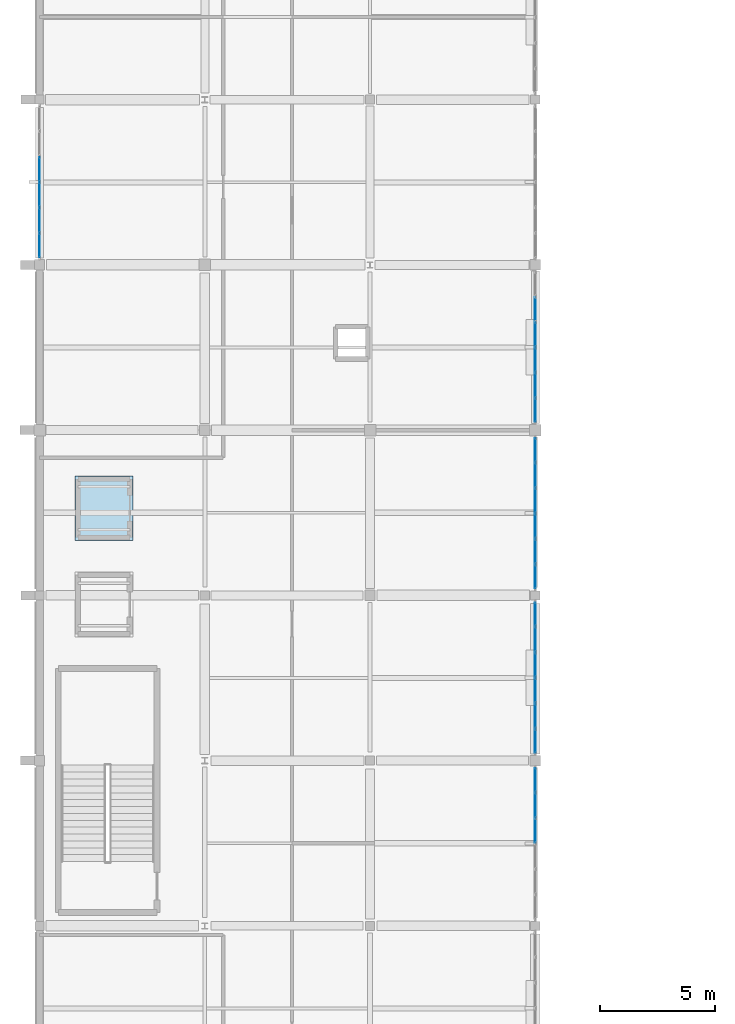
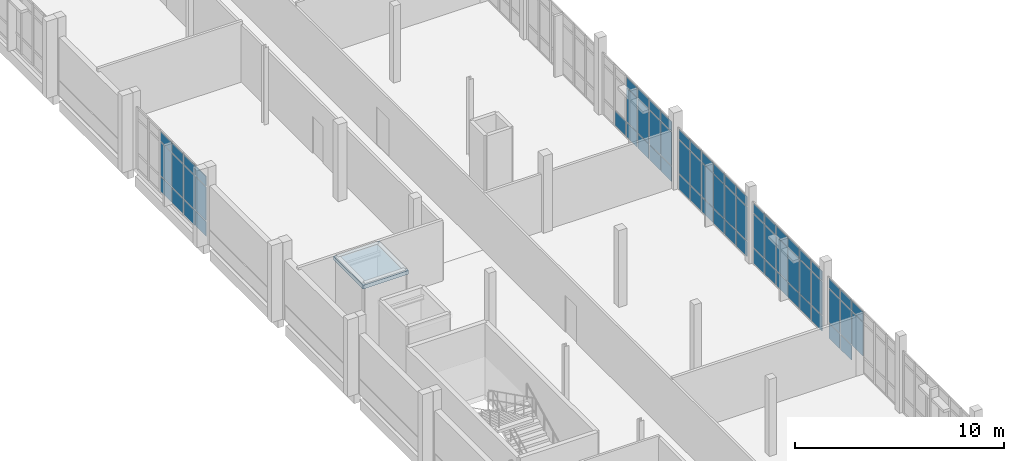
# One storey, part 46 of 62: 69 plates, 1 slab, 5 elements without a shape of their own.
"""IFC4 building model written with IfcOpenShell, lengths in metres."""

import ifcopenshell
import ifcopenshell.guid

model = None  # the IFC model being written
_history = None  # IfcOwnerHistory: only IFC2X3 demands one
_inside = {}  # id of a spatial element -> (the spatial element, [elements in it])
_under = {}  # id of a project, library or spatial element -> (it, [spatial elements below it])
_declared = {}  # id of a project -> (the project, [libraries it declares])
_typed = {}  # id of a type object -> (the type object, [elements of that type])
_made_of = {}  # id of a material, layer set ... -> (it, [elements and type objects made of it])


def new_model(schema):
    """Start an empty IFC model of exactly this schema.

    Asked for "IFC4X3", IfcOpenShell would pick the latest addendum, in which some entities
    have other attributes; the version numbers below select the first issue.
    IFC2X3 requires an IfcOwnerHistory on every rooted entity: one is made here for all.
    """
    global model, _history
    if schema == "IFC4X3":
        model = ifcopenshell.file(schema_version=(4, 3, 0, 0))
    else:
        model = ifcopenshell.file(schema=schema)
    _inside.clear()
    _under.clear()
    _declared.clear()
    _typed.clear()
    _made_of.clear()
    _history = None
    if model.schema == "IFC2X3":
        org = make("IfcOrganization", Name="unknown")
        user = make(
            "IfcPersonAndOrganization",
            ThePerson=make("IfcPerson", FamilyName="unknown"),
            TheOrganization=org,
        )
        app = make(
            "IfcApplication",
            ApplicationDeveloper=org,
            Version="unknown",
            ApplicationFullName="unknown",
            ApplicationIdentifier="unknown",
        )
        _history = make(
            "IfcOwnerHistory",
            OwningUser=user,
            OwningApplication=app,
            ChangeAction="ADDED",
            CreationDate=0,
        )
    return model


def make(cls, **values):
    """One entity of the class cls with the attributes given. An attribute that is None is left unset."""
    return model.create_entity(
        cls, **{name: value for name, value in values.items() if value is not None}
    )


def rooted(cls, **values):
    """An entity with a GlobalId (a new one), such as an element, a storey or a relation."""
    return make(cls, GlobalId=ifcopenshell.guid.new(), OwnerHistory=_history, **values)


def si_unit(unit_type, name, prefix=None):
    """IfcSIUnit, for example si_unit("LENGTHUNIT", "METRE", prefix="MILLI")."""
    return make("IfcSIUnit", UnitType=unit_type, Prefix=prefix, Name=name)


def assignment(units):
    """IfcUnitAssignment: the units of a project."""
    return None if units is None else make("IfcUnitAssignment", Units=units)


def point(xyz):
    """IfcCartesianPoint."""
    return None if xyz is None else make("IfcCartesianPoint", Coordinates=xyz)


def direction(xyz):
    """IfcDirection."""
    return None if xyz is None else make("IfcDirection", DirectionRatios=xyz)


def frame(location, z_axis=None, x_axis=None):
    """IfcAxis2Placement3D, a coordinate frame: its origin and axes. An axis left out is left unset."""
    return make(
        "IfcAxis2Placement3D",
        Location=point(location),
        Axis=direction(z_axis),
        RefDirection=direction(x_axis),
    )


def frame_2d(location, x_axis=None):
    """IfcAxis2Placement2D, a coordinate frame in the plane: its origin and x axis."""
    return make(
        "IfcAxis2Placement2D", Location=point(location), RefDirection=direction(x_axis)
    )


def origin():
    """The frame at (0, 0, 0) with its axes left unset."""
    return frame((0.0, 0.0, 0.0))


def origin_2d():
    """The frame at (0, 0) in the plane with its x axis left unset."""
    return frame_2d((0.0, 0.0))


def place(relative_to, where):
    """IfcLocalPlacement: puts the frame where relative to a parent placement (None: the world)."""
    return make(
        "IfcLocalPlacement", PlacementRelTo=relative_to, RelativePlacement=where
    )


def context(
    kind, dimensions, precision=None, world=None, true_north=None, identifier=None
):
    """IfcGeometricRepresentationContext, for example the 3D "Model" context."""
    return make(
        "IfcGeometricRepresentationContext",
        ContextIdentifier=identifier,
        ContextType=kind,
        CoordinateSpaceDimension=dimensions,
        Precision=precision,
        WorldCoordinateSystem=world,
        TrueNorth=true_north,
    )


def subcontext(parent, identifier, kind, view, scale=None):
    """IfcGeometricRepresentationSubContext, for example "Body" below "Model"."""
    return make(
        "IfcGeometricRepresentationSubContext",
        ContextIdentifier=identifier,
        ContextType=kind,
        ParentContext=parent,
        TargetScale=scale,
        TargetView=view,
    )


def project(units=None, contexts=None):
    """IfcProject with its units and contexts."""
    return rooted(
        "IfcProject",
        Name="project",
        RepresentationContexts=contexts,
        UnitsInContext=assignment(units),
    )


def spatial(cls, under=None, at=None, **own):
    """A site, building, storey or space (cls), placed at a placement, below another one or the project."""
    s = rooted(cls, ObjectPlacement=at, **own)
    if under is not None:
        _under.setdefault(under.id(), (under, []))[1].append(s)
    return s


def polyline(points):
    """IfcPolyline through the points."""
    return make("IfcPolyline", Points=[point(p) for p in points])


def profile(cls, at=None, kind="AREA", **sizes):
    """A parametric profile (cls). Its sizes go by their IFC names, for example OverallWidth=200.0."""
    return make(cls, ProfileType=kind, Position=at, **sizes)


def rectangle(**sizes):
    """IfcRectangleProfileDef."""
    return profile("IfcRectangleProfileDef", **sizes)


def outline(outer, holes=None, kind="AREA"):
    """IfcArbitraryClosedProfileDef: a profile drawn as a closed curve; with holes, ...WithVoids."""
    if holes is None:
        return make("IfcArbitraryClosedProfileDef", ProfileType=kind, OuterCurve=outer)
    return make(
        "IfcArbitraryProfileDefWithVoids",
        ProfileType=kind,
        OuterCurve=outer,
        InnerCurves=holes,
    )


def extrude(swept, where, along, depth):
    """IfcExtrudedAreaSolid: the profile swept, set in the frame where, extruded along a direction by depth."""
    return make(
        "IfcExtrudedAreaSolid",
        SweptArea=swept,
        Position=where,
        ExtrudedDirection=direction(along),
        Depth=depth,
    )


def shape(context_of_items, identifier, shape_type, items):
    """IfcShapeRepresentation: the items that make up one representation, for example the "Body"."""
    return make(
        "IfcShapeRepresentation",
        ContextOfItems=context_of_items,
        RepresentationIdentifier=identifier,
        RepresentationType=shape_type,
        Items=items,
    )


def material(Name=None, Category=None):
    """IfcMaterial."""
    return make("IfcMaterial", Name=Name, Category=Category)


def layer(
    of_material, thickness, ventilated=None, Name=None, Category=None, Priority=None
):
    """IfcMaterialLayer: one layer of a wall or slab, of a material (None: an air gap)."""
    return make(
        "IfcMaterialLayer",
        Material=of_material,
        LayerThickness=thickness,
        IsVentilated=ventilated,
        Name=Name,
        Category=Category,
        Priority=Priority,
    )


def layer_set(layers, Name=None):
    """IfcMaterialLayerSet."""
    return make("IfcMaterialLayerSet", MaterialLayers=layers, LayerSetName=Name)


def made_of(thing, what):
    """Note that an element or type object is made of a material, layer set ...; save() writes the relation."""
    if what is not None:
        _made_of.setdefault(what.id(), (what, []))[1].append(thing)
    return thing


def type_object(cls, material=None, **own):
    """A type object (cls), such as IfcWallType, which elements share."""
    return made_of(rooted(cls, **own), material)


def element(
    cls,
    number,
    at=None,
    inside=None,
    cuts=None,
    type_object=None,
    material=None,
    context=None,
    identifier="Body",
    shape_type=None,
    held_by="IfcProductDefinitionShape",
    body=None,
    shapes=None,
    **own,
):
    """One element of the class cls, such as IfcWall. Its Tag is "e" and its number.

    at: its placement. inside: the storey or other place that contains it. cuts: it is an
    opening in that element (IfcRelVoidsElement). A single representation is given by context,
    identifier, shape_type and body (its items); several are given by shapes. held_by: the class
    of the entity that holds the representations. save() writes the other relations.
    """
    e = rooted(cls, Tag="e%d" % number, ObjectPlacement=at, **own)
    if body is not None:
        shapes = [shape(context, identifier, shape_type, body)]
    if shapes is not None:
        e.Representation = make(held_by, Representations=shapes)
    if inside is not None:
        _inside.setdefault(inside.id(), (inside, []))[1].append(e)
    if cuts is not None:
        rooted(
            "IfcRelVoidsElement", RelatingBuildingElement=cuts, RelatedOpeningElement=e
        )
    if type_object is not None:
        _typed.setdefault(type_object.id(), (type_object, []))[1].append(e)
    return made_of(e, material)


def aggregate(whole, parts):
    """IfcRelAggregates: a whole, such as a stair, and the parts it consists of."""
    return rooted("IfcRelAggregates", RelatingObject=whole, RelatedObjects=parts)


def save(model, path):
    """Write the relations noted so far, then the file.

    IfcRelAggregates (storeys below a building ...), IfcRelContainedInSpatialStructure (elements
    in a storey), IfcRelDefinesByType, IfcRelAssociatesMaterial and IfcRelDeclares: one each for
    every whole, place, type object, material and project.
    """
    for whole, parts in _under.values():
        aggregate(whole, parts)
    for where, things in _inside.values():
        rooted(
            "IfcRelContainedInSpatialStructure",
            RelatedElements=things,
            RelatingStructure=where,
        )
    for kind, things in _typed.values():
        rooted("IfcRelDefinesByType", RelatedObjects=things, RelatingType=kind)
    for what, things in _made_of.values():
        rooted("IfcRelAssociatesMaterial", RelatedObjects=things, RelatingMaterial=what)
    for by, libraries in _declared.values():
        rooted("IfcRelDeclares", RelatingContext=by, RelatedDefinitions=libraries)
    model.write(path)


model = new_model("IFC4")

# Units and contexts
model_context = context("Model", 3, precision=1e-05, world=origin(), true_north=direction((0.0, 1.0)))
body_context = subcontext(model_context, "Body", "Model", "MODEL_VIEW")
ifc_project = project(units=[si_unit("LENGTHUNIT", "METRE"), si_unit("AREAUNIT", "SQUARE_METRE"), si_unit("VOLUMEUNIT", "CUBIC_METRE"), si_unit("PLANEANGLEUNIT", "RADIAN"), si_unit("MASSUNIT", "GRAM", prefix="KILO")], contexts=[model_context])

# Site, building, storey
site_placement = place(None, origin())
site = spatial("IfcSite", under=ifc_project, at=site_placement, CompositionType="ELEMENT")
building_placement = place(site_placement, origin())
building = spatial("IfcBuilding", under=site, at=building_placement, Name="Kalluvel Institute of Natural Sciences", CompositionType="ELEMENT")
storey_placement = place(building_placement, frame((0.0, 0.0, 27.89990234375)))
storey = spatial("IfcBuildingStorey", under=building, at=storey_placement, Name="L06", CompositionType="ELEMENT", Elevation=27.89990234375)

# Curtain wall, plates
ifc_material_1 = material(Name="Aluminium AW-6063 T6", Category="aluminium")
curtain_wall_type = type_object("IfcCurtainWallType", Name="CW-DRY-45", PredefinedType="USERDEFINED", material=ifc_material_1)
curtain_wall_1_placement = place(storey_placement, origin())
curtain_wall_1 = element("IfcCurtainWall", 1, at=curtain_wall_1_placement, inside=storey, type_object=curtain_wall_type, Name="L06 Gothic lancet curtain wall CWA-L06-X140-Y719", ObjectType="UNITISED LANCET FACADE", PredefinedType="USERDEFINED")
ifc_material_2 = material(Name="Solar-Control Low-E Laminated Glass", Category="glass")
ifc_layer_1 = layer(ifc_material_2, 0.028076171875)
ifc_layer_set_1 = layer_set([ifc_layer_1], Name="Solar-Control Low-E Laminated Glass")
plate_type = type_object("IfcPlateType", Name="CWP-DGU-28", PredefinedType="CURTAIN_PANEL", material=ifc_layer_set_1)
plate_1_placement = place(storey_placement, frame((14.0, 72.4462890625, 0.06005859375), z_axis=(0.0, 0.0, 1.0), x_axis=(0.0, 1.0, 0.0)))
plate_1 = element("IfcPlate", 2, at=plate_1_placement, type_object=plate_type, Name="CW-03 panel 1.1", PredefinedType="CURTAIN_PANEL", context=body_context, shape_type="SweptSolid", body=[
    extrude(rectangle(XDim=1.0224609375, YDim=0.028076171875, at=origin_2d()), origin(), (0.0, 0.0, 1.0), 0.860107421875),
])
plate_2_placement = place(storey_placement, frame((14.0, 72.4462890625, 0.980224609375), z_axis=(0.0, 0.0, 1.0), x_axis=(0.0, 1.0, 0.0)))
plate_2 = element("IfcPlate", 3, at=plate_2_placement, type_object=plate_type, Name="CW-03 panel 1.2", PredefinedType="CURTAIN_PANEL", context=body_context, shape_type="SweptSolid", body=[
    extrude(rectangle(XDim=1.0224609375, YDim=0.028076171875, at=origin_2d()), origin(), (0.0, 0.0, 1.0), 1.9599609375),
])
plate_3_placement = place(storey_placement, frame((14.0, 72.4462890625, 3.0), z_axis=(0.0, 0.0, 1.0), x_axis=(0.0, 1.0, 0.0)))
plate_3 = element("IfcPlate", 4, at=plate_3_placement, type_object=plate_type, Name="CW-03 panel 1.3", PredefinedType="CURTAIN_PANEL", context=body_context, shape_type="SweptSolid", body=[
    extrude(rectangle(XDim=1.0224609375, YDim=0.028076171875, at=origin_2d()), origin(), (0.0, 0.0, 1.0), 0.56005859375),
])
plate_4_placement = place(storey_placement, frame((14.0, 73.543701171875, 0.06005859375), z_axis=(0.0, 0.0, 1.0), x_axis=(0.0, 1.0, 0.0)))
plate_4 = element("IfcPlate", 5, at=plate_4_placement, type_object=plate_type, Name="CW-03 panel 2.1", PredefinedType="CURTAIN_PANEL", context=body_context, shape_type="SweptSolid", body=[
    extrude(rectangle(XDim=1.052490234375, YDim=0.028076171875, at=origin_2d()), origin(), (0.0, 0.0, 1.0), 0.860107421875),
])
plate_5_placement = place(storey_placement, frame((14.0, 73.543701171875, 0.980224609375), z_axis=(0.0, 0.0, 1.0), x_axis=(0.0, 1.0, 0.0)))
plate_5 = element("IfcPlate", 6, at=plate_5_placement, type_object=plate_type, Name="CW-03 panel 2.2", PredefinedType="CURTAIN_PANEL", context=body_context, shape_type="SweptSolid", body=[
    extrude(rectangle(XDim=1.052490234375, YDim=0.028076171875, at=origin_2d()), origin(), (0.0, 0.0, 1.0), 1.9599609375),
])
plate_6_placement = place(storey_placement, frame((14.0, 73.543701171875, 3.0), z_axis=(0.0, 0.0, 1.0), x_axis=(0.0, 1.0, 0.0)))
plate_6 = element("IfcPlate", 7, at=plate_6_placement, type_object=plate_type, Name="CW-03 panel 2.3", PredefinedType="CURTAIN_PANEL", context=body_context, shape_type="SweptSolid", body=[
    extrude(rectangle(XDim=1.052490234375, YDim=0.028076171875, at=origin_2d()), origin(), (0.0, 0.0, 1.0), 0.56005859375),
])
plate_7_placement = place(storey_placement, frame((14.0, 74.65625, 0.06005859375), z_axis=(0.0, 0.0, 1.0), x_axis=(0.0, 1.0, 0.0)))
plate_7 = element("IfcPlate", 8, at=plate_7_placement, type_object=plate_type, Name="CW-03 panel 3.1", PredefinedType="CURTAIN_PANEL", context=body_context, shape_type="SweptSolid", body=[
    extrude(rectangle(XDim=1.052490234375, YDim=0.028076171875, at=origin_2d()), origin(), (0.0, 0.0, 1.0), 0.860107421875),
])
plate_8_placement = place(storey_placement, frame((14.0, 74.65625, 0.980224609375), z_axis=(0.0, 0.0, 1.0), x_axis=(0.0, 1.0, 0.0)))
plate_8 = element("IfcPlate", 9, at=plate_8_placement, type_object=plate_type, Name="CW-03 panel 3.2", PredefinedType="CURTAIN_PANEL", context=body_context, shape_type="SweptSolid", body=[
    extrude(rectangle(XDim=1.052490234375, YDim=0.028076171875, at=origin_2d()), origin(), (0.0, 0.0, 1.0), 1.9599609375),
])
plate_9_placement = place(storey_placement, frame((14.0, 74.65625, 3.0), z_axis=(0.0, 0.0, 1.0), x_axis=(0.0, 1.0, 0.0)))
plate_9 = element("IfcPlate", 10, at=plate_9_placement, type_object=plate_type, Name="CW-03 panel 3.3", PredefinedType="CURTAIN_PANEL", context=body_context, shape_type="SweptSolid", body=[
    extrude(rectangle(XDim=1.052490234375, YDim=0.028076171875, at=origin_2d()), origin(), (0.0, 0.0, 1.0), 0.56005859375),
])
plate_10_placement = place(storey_placement, frame((14.0, 75.768798828125, 0.06005859375), z_axis=(0.0, 0.0, 1.0), x_axis=(0.0, 1.0, 0.0)))
plate_10 = element("IfcPlate", 11, at=plate_10_placement, type_object=plate_type, Name="CW-03 panel 4.1", PredefinedType="CURTAIN_PANEL", context=body_context, shape_type="SweptSolid", body=[
    extrude(rectangle(XDim=1.052490234375, YDim=0.028076171875, at=origin_2d()), origin(), (0.0, 0.0, 1.0), 0.860107421875),
])
plate_11_placement = place(storey_placement, frame((14.0, 75.768798828125, 0.980224609375), z_axis=(0.0, 0.0, 1.0), x_axis=(0.0, 1.0, 0.0)))
plate_11 = element("IfcPlate", 12, at=plate_11_placement, type_object=plate_type, Name="CW-03 panel 4.2", PredefinedType="CURTAIN_PANEL", context=body_context, shape_type="SweptSolid", body=[
    extrude(rectangle(XDim=1.052490234375, YDim=0.028076171875, at=origin_2d()), origin(), (0.0, 0.0, 1.0), 1.9599609375),
])
plate_12_placement = place(storey_placement, frame((14.0, 75.768798828125, 3.0), z_axis=(0.0, 0.0, 1.0), x_axis=(0.0, 1.0, 0.0)))
plate_12 = element("IfcPlate", 13, at=plate_12_placement, type_object=plate_type, Name="CW-03 panel 4.3", PredefinedType="CURTAIN_PANEL", context=body_context, shape_type="SweptSolid", body=[
    extrude(rectangle(XDim=1.052490234375, YDim=0.028076171875, at=origin_2d()), origin(), (0.0, 0.0, 1.0), 0.56005859375),
])
aggregate(curtain_wall_1, [plate_1, plate_2, plate_3, plate_4, plate_5, plate_6, plate_7, plate_8, plate_9, plate_10, plate_11, plate_12])

curtain_wall_2_placement = place(storey_placement, origin())
curtain_wall_2 = element("IfcCurtainWall", 14, at=curtain_wall_2_placement, inside=storey, type_object=curtain_wall_type, Name="L06 Gothic lancet curtain wall CWA-L06-X356-Y430", ObjectType="UNITISED LANCET FACADE", PredefinedType="USERDEFINED")
plate_13_placement = place(storey_placement, frame((35.60009765625, 46.94384765625, 0.980224609375), z_axis=(0.0, 0.0, 1.0), x_axis=(0.0, 1.0, 0.0)))
plate_13 = element("IfcPlate", 15, at=plate_13_placement, type_object=plate_type, Name="CW-03 panel 4.2", PredefinedType="CURTAIN_PANEL", context=body_context, shape_type="SweptSolid", body=[
    extrude(rectangle(XDim=1.052490234375, YDim=0.028076171875, at=origin_2d()), origin(), (0.0, 0.0, 1.0), 1.9599609375),
])
plate_14_placement = place(storey_placement, frame((35.60009765625, 46.94384765625, 3.0), z_axis=(0.0, 0.0, 1.0), x_axis=(0.0, 1.0, 0.0)))
plate_14 = element("IfcPlate", 16, at=plate_14_placement, type_object=plate_type, Name="CW-03 panel 4.3", PredefinedType="CURTAIN_PANEL", context=body_context, shape_type="SweptSolid", body=[
    extrude(rectangle(XDim=1.052490234375, YDim=0.028076171875, at=origin_2d()), origin(), (0.0, 0.0, 1.0), 0.56005859375),
])
plate_15_placement = place(storey_placement, frame((35.60009765625, 48.05615234375, 0.06005859375), z_axis=(0.0, 0.0, 1.0), x_axis=(0.0, 1.0, 0.0)))
plate_15 = element("IfcPlate", 17, at=plate_15_placement, type_object=plate_type, Name="CW-03 panel 5.1", PredefinedType="CURTAIN_PANEL", context=body_context, shape_type="SweptSolid", body=[
    extrude(rectangle(XDim=1.052490234375, YDim=0.028076171875, at=origin_2d()), origin(), (0.0, 0.0, 1.0), 0.860107421875),
])
plate_16_placement = place(storey_placement, frame((35.60009765625, 48.05615234375, 0.980224609375), z_axis=(0.0, 0.0, 1.0), x_axis=(0.0, 1.0, 0.0)))
plate_16 = element("IfcPlate", 18, at=plate_16_placement, type_object=plate_type, Name="CW-03 panel 5.2", PredefinedType="CURTAIN_PANEL", context=body_context, shape_type="SweptSolid", body=[
    extrude(rectangle(XDim=1.052490234375, YDim=0.028076171875, at=origin_2d()), origin(), (0.0, 0.0, 1.0), 1.9599609375),
])
plate_17_placement = place(storey_placement, frame((35.60009765625, 48.05615234375, 3.0), z_axis=(0.0, 0.0, 1.0), x_axis=(0.0, 1.0, 0.0)))
plate_17 = element("IfcPlate", 19, at=plate_17_placement, type_object=plate_type, Name="CW-03 panel 5.3", PredefinedType="CURTAIN_PANEL", context=body_context, shape_type="SweptSolid", body=[
    extrude(rectangle(XDim=1.052490234375, YDim=0.028076171875, at=origin_2d()), origin(), (0.0, 0.0, 1.0), 0.56005859375),
])
plate_18_placement = place(storey_placement, frame((35.60009765625, 49.15380859375, 0.06005859375), z_axis=(0.0, 0.0, 1.0), x_axis=(0.0, 1.0, 0.0)))
plate_18 = element("IfcPlate", 20, at=plate_18_placement, type_object=plate_type, Name="CW-03 panel 6.1", PredefinedType="CURTAIN_PANEL", context=body_context, shape_type="SweptSolid", body=[
    extrude(rectangle(XDim=1.0224609375, YDim=0.028076171875, at=origin_2d()), origin(), (0.0, 0.0, 1.0), 0.860107421875),
])
plate_19_placement = place(storey_placement, frame((35.60009765625, 49.15380859375, 0.980224609375), z_axis=(0.0, 0.0, 1.0), x_axis=(0.0, 1.0, 0.0)))
plate_19 = element("IfcPlate", 21, at=plate_19_placement, type_object=plate_type, Name="CW-03 panel 6.2", PredefinedType="CURTAIN_PANEL", context=body_context, shape_type="SweptSolid", body=[
    extrude(rectangle(XDim=1.0224609375, YDim=0.028076171875, at=origin_2d()), origin(), (0.0, 0.0, 1.0), 1.9599609375),
])
plate_20_placement = place(storey_placement, frame((35.60009765625, 49.15380859375, 3.0), z_axis=(0.0, 0.0, 1.0), x_axis=(0.0, 1.0, 0.0)))
plate_20 = element("IfcPlate", 22, at=plate_20_placement, type_object=plate_type, Name="CW-03 panel 6.3", PredefinedType="CURTAIN_PANEL", context=body_context, shape_type="SweptSolid", body=[
    extrude(rectangle(XDim=1.0224609375, YDim=0.028076171875, at=origin_2d()), origin(), (0.0, 0.0, 1.0), 0.56005859375),
])
aggregate(curtain_wall_2, [plate_13, plate_14, plate_15, plate_16, plate_17, plate_18, plate_19, plate_20])

curtain_wall_3_placement = place(storey_placement, origin())
curtain_wall_3 = element("IfcCurtainWall", 23, at=curtain_wall_3_placement, inside=storey, type_object=curtain_wall_type, Name="L06 Gothic lancet curtain wall CWA-L06-X356-Y503", ObjectType="UNITISED LANCET FACADE", PredefinedType="USERDEFINED")
plate_21_placement = place(storey_placement, frame((35.60009765625, 50.84619140625, 0.06005859375), z_axis=(0.0, 0.0, 1.0), x_axis=(0.0, 1.0, 0.0)))
plate_21 = element("IfcPlate", 24, at=plate_21_placement, type_object=plate_type, Name="CW-03 panel 1.1", PredefinedType="CURTAIN_PANEL", context=body_context, shape_type="SweptSolid", body=[
    extrude(rectangle(XDim=1.0224609375, YDim=0.028076171875, at=origin_2d()), origin(), (0.0, 0.0, 1.0), 0.860107421875),
])
plate_22_placement = place(storey_placement, frame((35.60009765625, 50.84619140625, 0.980224609375), z_axis=(0.0, 0.0, 1.0), x_axis=(0.0, 1.0, 0.0)))
plate_22 = element("IfcPlate", 25, at=plate_22_placement, type_object=plate_type, Name="CW-03 panel 1.2", PredefinedType="CURTAIN_PANEL", context=body_context, shape_type="SweptSolid", body=[
    extrude(rectangle(XDim=1.0224609375, YDim=0.028076171875, at=origin_2d()), origin(), (0.0, 0.0, 1.0), 1.9599609375),
])
plate_23_placement = place(storey_placement, frame((35.60009765625, 50.84619140625, 3.0), z_axis=(0.0, 0.0, 1.0), x_axis=(0.0, 1.0, 0.0)))
plate_23 = element("IfcPlate", 26, at=plate_23_placement, type_object=plate_type, Name="CW-03 panel 1.3", PredefinedType="CURTAIN_PANEL", context=body_context, shape_type="SweptSolid", body=[
    extrude(rectangle(XDim=1.0224609375, YDim=0.028076171875, at=origin_2d()), origin(), (0.0, 0.0, 1.0), 0.56005859375),
])
plate_24_placement = place(storey_placement, frame((35.60009765625, 51.94384765625, 0.06005859375), z_axis=(0.0, 0.0, 1.0), x_axis=(0.0, 1.0, 0.0)))
plate_24 = element("IfcPlate", 27, at=plate_24_placement, type_object=plate_type, Name="CW-03 panel 2.1", PredefinedType="CURTAIN_PANEL", context=body_context, shape_type="SweptSolid", body=[
    extrude(rectangle(XDim=1.052490234375, YDim=0.028076171875, at=origin_2d()), origin(), (0.0, 0.0, 1.0), 0.860107421875),
])
plate_25_placement = place(storey_placement, frame((35.60009765625, 51.94384765625, 0.980224609375), z_axis=(0.0, 0.0, 1.0), x_axis=(0.0, 1.0, 0.0)))
plate_25 = element("IfcPlate", 28, at=plate_25_placement, type_object=plate_type, Name="CW-03 panel 2.2", PredefinedType="CURTAIN_PANEL", context=body_context, shape_type="SweptSolid", body=[
    extrude(rectangle(XDim=1.052490234375, YDim=0.028076171875, at=origin_2d()), origin(), (0.0, 0.0, 1.0), 1.9599609375),
])
plate_26_placement = place(storey_placement, frame((35.60009765625, 51.94384765625, 3.0), z_axis=(0.0, 0.0, 1.0), x_axis=(0.0, 1.0, 0.0)))
plate_26 = element("IfcPlate", 29, at=plate_26_placement, type_object=plate_type, Name="CW-03 panel 2.3", PredefinedType="CURTAIN_PANEL", context=body_context, shape_type="SweptSolid", body=[
    extrude(rectangle(XDim=1.052490234375, YDim=0.028076171875, at=origin_2d()), origin(), (0.0, 0.0, 1.0), 0.56005859375),
])
plate_27_placement = place(storey_placement, frame((35.60009765625, 53.05615234375, 0.06005859375), z_axis=(0.0, 0.0, 1.0), x_axis=(0.0, 1.0, 0.0)))
plate_27 = element("IfcPlate", 30, at=plate_27_placement, type_object=plate_type, Name="CW-03 panel 3.1", PredefinedType="CURTAIN_PANEL", context=body_context, shape_type="SweptSolid", body=[
    extrude(rectangle(XDim=1.052490234375, YDim=0.028076171875, at=origin_2d()), origin(), (0.0, 0.0, 1.0), 0.860107421875),
])
plate_28_placement = place(storey_placement, frame((35.60009765625, 53.05615234375, 0.980224609375), z_axis=(0.0, 0.0, 1.0), x_axis=(0.0, 1.0, 0.0)))
plate_28 = element("IfcPlate", 31, at=plate_28_placement, type_object=plate_type, Name="CW-03 panel 3.2", PredefinedType="CURTAIN_PANEL", context=body_context, shape_type="SweptSolid", body=[
    extrude(rectangle(XDim=1.052490234375, YDim=0.028076171875, at=origin_2d()), origin(), (0.0, 0.0, 1.0), 1.9599609375),
])
plate_29_placement = place(storey_placement, frame((35.60009765625, 53.05615234375, 3.0), z_axis=(0.0, 0.0, 1.0), x_axis=(0.0, 1.0, 0.0)))
plate_29 = element("IfcPlate", 32, at=plate_29_placement, type_object=plate_type, Name="CW-03 panel 3.3", PredefinedType="CURTAIN_PANEL", context=body_context, shape_type="SweptSolid", body=[
    extrude(rectangle(XDim=1.052490234375, YDim=0.028076171875, at=origin_2d()), origin(), (0.0, 0.0, 1.0), 0.56005859375),
])
plate_30_placement = place(storey_placement, frame((35.60009765625, 54.168701171875, 0.06005859375), z_axis=(0.0, 0.0, 1.0), x_axis=(0.0, 1.0, 0.0)))
plate_30 = element("IfcPlate", 33, at=plate_30_placement, type_object=plate_type, Name="CW-03 panel 4.1", PredefinedType="CURTAIN_PANEL", context=body_context, shape_type="SweptSolid", body=[
    extrude(rectangle(XDim=1.052490234375, YDim=0.028076171875, at=origin_2d()), origin(), (0.0, 0.0, 1.0), 0.860107421875),
])
plate_31_placement = place(storey_placement, frame((35.60009765625, 54.168701171875, 0.980224609375), z_axis=(0.0, 0.0, 1.0), x_axis=(0.0, 1.0, 0.0)))
plate_31 = element("IfcPlate", 34, at=plate_31_placement, type_object=plate_type, Name="CW-03 panel 4.2", PredefinedType="CURTAIN_PANEL", context=body_context, shape_type="SweptSolid", body=[
    extrude(rectangle(XDim=1.052490234375, YDim=0.028076171875, at=origin_2d()), origin(), (0.0, 0.0, 1.0), 1.9599609375),
])
plate_32_placement = place(storey_placement, frame((35.60009765625, 54.168701171875, 3.0), z_axis=(0.0, 0.0, 1.0), x_axis=(0.0, 1.0, 0.0)))
plate_32 = element("IfcPlate", 35, at=plate_32_placement, type_object=plate_type, Name="CW-03 panel 4.3", PredefinedType="CURTAIN_PANEL", context=body_context, shape_type="SweptSolid", body=[
    extrude(rectangle(XDim=1.052490234375, YDim=0.028076171875, at=origin_2d()), origin(), (0.0, 0.0, 1.0), 0.56005859375),
])
plate_33_placement = place(storey_placement, frame((35.60009765625, 55.28125, 0.06005859375), z_axis=(0.0, 0.0, 1.0), x_axis=(0.0, 1.0, 0.0)))
plate_33 = element("IfcPlate", 36, at=plate_33_placement, type_object=plate_type, Name="CW-03 panel 5.1", PredefinedType="CURTAIN_PANEL", context=body_context, shape_type="SweptSolid", body=[
    extrude(rectangle(XDim=1.052490234375, YDim=0.028076171875, at=origin_2d()), origin(), (0.0, 0.0, 1.0), 0.860107421875),
])
plate_34_placement = place(storey_placement, frame((35.60009765625, 55.28125, 0.980224609375), z_axis=(0.0, 0.0, 1.0), x_axis=(0.0, 1.0, 0.0)))
plate_34 = element("IfcPlate", 37, at=plate_34_placement, type_object=plate_type, Name="CW-03 panel 5.2", PredefinedType="CURTAIN_PANEL", context=body_context, shape_type="SweptSolid", body=[
    extrude(rectangle(XDim=1.052490234375, YDim=0.028076171875, at=origin_2d()), origin(), (0.0, 0.0, 1.0), 1.9599609375),
])
plate_35_placement = place(storey_placement, frame((35.60009765625, 55.28125, 3.0), z_axis=(0.0, 0.0, 1.0), x_axis=(0.0, 1.0, 0.0)))
plate_35 = element("IfcPlate", 38, at=plate_35_placement, type_object=plate_type, Name="CW-03 panel 5.3", PredefinedType="CURTAIN_PANEL", context=body_context, shape_type="SweptSolid", body=[
    extrude(rectangle(XDim=1.052490234375, YDim=0.028076171875, at=origin_2d()), origin(), (0.0, 0.0, 1.0), 0.56005859375),
])
plate_36_placement = place(storey_placement, frame((35.60009765625, 56.378662109375, 0.06005859375), z_axis=(0.0, 0.0, 1.0), x_axis=(0.0, 1.0, 0.0)))
plate_36 = element("IfcPlate", 39, at=plate_36_placement, type_object=plate_type, Name="CW-03 panel 6.1", PredefinedType="CURTAIN_PANEL", context=body_context, shape_type="SweptSolid", body=[
    extrude(rectangle(XDim=1.0224609375, YDim=0.028076171875, at=origin_2d()), origin(), (0.0, 0.0, 1.0), 0.860107421875),
])
plate_37_placement = place(storey_placement, frame((35.60009765625, 56.378662109375, 0.980224609375), z_axis=(0.0, 0.0, 1.0), x_axis=(0.0, 1.0, 0.0)))
plate_37 = element("IfcPlate", 40, at=plate_37_placement, type_object=plate_type, Name="CW-03 panel 6.2", PredefinedType="CURTAIN_PANEL", context=body_context, shape_type="SweptSolid", body=[
    extrude(rectangle(XDim=1.0224609375, YDim=0.028076171875, at=origin_2d()), origin(), (0.0, 0.0, 1.0), 1.9599609375),
])
plate_38_placement = place(storey_placement, frame((35.60009765625, 56.378662109375, 3.0), z_axis=(0.0, 0.0, 1.0), x_axis=(0.0, 1.0, 0.0)))
plate_38 = element("IfcPlate", 41, at=plate_38_placement, type_object=plate_type, Name="CW-03 panel 6.3", PredefinedType="CURTAIN_PANEL", context=body_context, shape_type="SweptSolid", body=[
    extrude(rectangle(XDim=1.0224609375, YDim=0.028076171875, at=origin_2d()), origin(), (0.0, 0.0, 1.0), 0.56005859375),
])
aggregate(curtain_wall_3, [plate_21, plate_22, plate_23, plate_24, plate_25, plate_26, plate_27, plate_28, plate_29, plate_30, plate_31, plate_32, plate_33, plate_34, plate_35, plate_36, plate_37, plate_38])

curtain_wall_4_placement = place(storey_placement, origin())
curtain_wall_4 = element("IfcCurtainWall", 42, at=curtain_wall_4_placement, inside=storey, type_object=curtain_wall_type, Name="L06 Gothic lancet curtain wall CWA-L06-X356-Y574", ObjectType="UNITISED LANCET FACADE", PredefinedType="USERDEFINED")
plate_39_placement = place(storey_placement, frame((35.60009765625, 58.019287109375, 0.06005859375), z_axis=(0.0, 0.0, 1.0), x_axis=(0.0, 1.0, 0.0)))
plate_39 = element("IfcPlate", 43, at=plate_39_placement, type_object=plate_type, Name="CW-03 panel 1.1", PredefinedType="CURTAIN_PANEL", context=body_context, shape_type="SweptSolid", body=[
    extrude(rectangle(XDim=1.018310546875, YDim=0.028076171875, at=origin_2d()), origin(), (0.0, 0.0, 1.0), 0.860107421875),
])
plate_40_placement = place(storey_placement, frame((35.60009765625, 58.019287109375, 0.980224609375), z_axis=(0.0, 0.0, 1.0), x_axis=(0.0, 1.0, 0.0)))
plate_40 = element("IfcPlate", 44, at=plate_40_placement, type_object=plate_type, Name="CW-03 panel 1.2", PredefinedType="CURTAIN_PANEL", context=body_context, shape_type="SweptSolid", body=[
    extrude(rectangle(XDim=1.018310546875, YDim=0.028076171875, at=origin_2d()), origin(), (0.0, 0.0, 1.0), 1.9599609375),
])
plate_41_placement = place(storey_placement, frame((35.60009765625, 58.019287109375, 3.0), z_axis=(0.0, 0.0, 1.0), x_axis=(0.0, 1.0, 0.0)))
plate_41 = element("IfcPlate", 45, at=plate_41_placement, type_object=plate_type, Name="CW-03 panel 1.3", PredefinedType="CURTAIN_PANEL", context=body_context, shape_type="SweptSolid", body=[
    extrude(rectangle(XDim=1.018310546875, YDim=0.028076171875, at=origin_2d()), origin(), (0.0, 0.0, 1.0), 0.56005859375),
])
plate_42_placement = place(storey_placement, frame((35.60009765625, 59.112548828125, 0.06005859375), z_axis=(0.0, 0.0, 1.0), x_axis=(0.0, 1.0, 0.0)))
plate_42 = element("IfcPlate", 46, at=plate_42_placement, type_object=plate_type, Name="CW-03 panel 2.1", PredefinedType="CURTAIN_PANEL", context=body_context, shape_type="SweptSolid", body=[
    extrude(rectangle(XDim=1.04833984375, YDim=0.028076171875, at=origin_2d()), origin(), (0.0, 0.0, 1.0), 0.860107421875),
])
plate_43_placement = place(storey_placement, frame((35.60009765625, 59.112548828125, 0.980224609375), z_axis=(0.0, 0.0, 1.0), x_axis=(0.0, 1.0, 0.0)))
plate_43 = element("IfcPlate", 47, at=plate_43_placement, type_object=plate_type, Name="CW-03 panel 2.2", PredefinedType="CURTAIN_PANEL", context=body_context, shape_type="SweptSolid", body=[
    extrude(rectangle(XDim=1.04833984375, YDim=0.028076171875, at=origin_2d()), origin(), (0.0, 0.0, 1.0), 1.9599609375),
])
plate_44_placement = place(storey_placement, frame((35.60009765625, 59.112548828125, 3.0), z_axis=(0.0, 0.0, 1.0), x_axis=(0.0, 1.0, 0.0)))
plate_44 = element("IfcPlate", 48, at=plate_44_placement, type_object=plate_type, Name="CW-03 panel 2.3", PredefinedType="CURTAIN_PANEL", context=body_context, shape_type="SweptSolid", body=[
    extrude(rectangle(XDim=1.04833984375, YDim=0.028076171875, at=origin_2d()), origin(), (0.0, 0.0, 1.0), 0.56005859375),
])
plate_45_placement = place(storey_placement, frame((35.60009765625, 60.220947265625, 0.06005859375), z_axis=(0.0, 0.0, 1.0), x_axis=(0.0, 1.0, 0.0)))
plate_45 = element("IfcPlate", 49, at=plate_45_placement, type_object=plate_type, Name="CW-03 panel 3.1", PredefinedType="CURTAIN_PANEL", context=body_context, shape_type="SweptSolid", body=[
    extrude(rectangle(XDim=1.04833984375, YDim=0.028076171875, at=origin_2d()), origin(), (0.0, 0.0, 1.0), 0.860107421875),
])
plate_46_placement = place(storey_placement, frame((35.60009765625, 60.220947265625, 0.980224609375), z_axis=(0.0, 0.0, 1.0), x_axis=(0.0, 1.0, 0.0)))
plate_46 = element("IfcPlate", 50, at=plate_46_placement, type_object=plate_type, Name="CW-03 panel 3.2", PredefinedType="CURTAIN_PANEL", context=body_context, shape_type="SweptSolid", body=[
    extrude(rectangle(XDim=1.04833984375, YDim=0.028076171875, at=origin_2d()), origin(), (0.0, 0.0, 1.0), 1.9599609375),
])
plate_47_placement = place(storey_placement, frame((35.60009765625, 60.220947265625, 3.0), z_axis=(0.0, 0.0, 1.0), x_axis=(0.0, 1.0, 0.0)))
plate_47 = element("IfcPlate", 51, at=plate_47_placement, type_object=plate_type, Name="CW-03 panel 3.3", PredefinedType="CURTAIN_PANEL", context=body_context, shape_type="SweptSolid", body=[
    extrude(rectangle(XDim=1.04833984375, YDim=0.028076171875, at=origin_2d()), origin(), (0.0, 0.0, 1.0), 0.56005859375),
])
plate_48_placement = place(storey_placement, frame((35.60009765625, 61.3291015625, 0.06005859375), z_axis=(0.0, 0.0, 1.0), x_axis=(0.0, 1.0, 0.0)))
plate_48 = element("IfcPlate", 52, at=plate_48_placement, type_object=plate_type, Name="CW-03 panel 4.1", PredefinedType="CURTAIN_PANEL", context=body_context, shape_type="SweptSolid", body=[
    extrude(rectangle(XDim=1.04833984375, YDim=0.028076171875, at=origin_2d()), origin(), (0.0, 0.0, 1.0), 0.860107421875),
])
plate_49_placement = place(storey_placement, frame((35.60009765625, 61.3291015625, 0.980224609375), z_axis=(0.0, 0.0, 1.0), x_axis=(0.0, 1.0, 0.0)))
plate_49 = element("IfcPlate", 53, at=plate_49_placement, type_object=plate_type, Name="CW-03 panel 4.2", PredefinedType="CURTAIN_PANEL", context=body_context, shape_type="SweptSolid", body=[
    extrude(rectangle(XDim=1.04833984375, YDim=0.028076171875, at=origin_2d()), origin(), (0.0, 0.0, 1.0), 1.9599609375),
])
plate_50_placement = place(storey_placement, frame((35.60009765625, 61.3291015625, 3.0), z_axis=(0.0, 0.0, 1.0), x_axis=(0.0, 1.0, 0.0)))
plate_50 = element("IfcPlate", 54, at=plate_50_placement, type_object=plate_type, Name="CW-03 panel 4.3", PredefinedType="CURTAIN_PANEL", context=body_context, shape_type="SweptSolid", body=[
    extrude(rectangle(XDim=1.04833984375, YDim=0.028076171875, at=origin_2d()), origin(), (0.0, 0.0, 1.0), 0.56005859375),
])
plate_51_placement = place(storey_placement, frame((35.60009765625, 62.4375, 0.06005859375), z_axis=(0.0, 0.0, 1.0), x_axis=(0.0, 1.0, 0.0)))
plate_51 = element("IfcPlate", 55, at=plate_51_placement, type_object=plate_type, Name="CW-03 panel 5.1", PredefinedType="CURTAIN_PANEL", context=body_context, shape_type="SweptSolid", body=[
    extrude(rectangle(XDim=1.04833984375, YDim=0.028076171875, at=origin_2d()), origin(), (0.0, 0.0, 1.0), 0.860107421875),
])
plate_52_placement = place(storey_placement, frame((35.60009765625, 62.4375, 0.980224609375), z_axis=(0.0, 0.0, 1.0), x_axis=(0.0, 1.0, 0.0)))
plate_52 = element("IfcPlate", 56, at=plate_52_placement, type_object=plate_type, Name="CW-03 panel 5.2", PredefinedType="CURTAIN_PANEL", context=body_context, shape_type="SweptSolid", body=[
    extrude(rectangle(XDim=1.04833984375, YDim=0.028076171875, at=origin_2d()), origin(), (0.0, 0.0, 1.0), 1.9599609375),
])
plate_53_placement = place(storey_placement, frame((35.60009765625, 62.4375, 3.0), z_axis=(0.0, 0.0, 1.0), x_axis=(0.0, 1.0, 0.0)))
plate_53 = element("IfcPlate", 57, at=plate_53_placement, type_object=plate_type, Name="CW-03 panel 5.3", PredefinedType="CURTAIN_PANEL", context=body_context, shape_type="SweptSolid", body=[
    extrude(rectangle(XDim=1.04833984375, YDim=0.028076171875, at=origin_2d()), origin(), (0.0, 0.0, 1.0), 0.56005859375),
])
plate_54_placement = place(storey_placement, frame((35.60009765625, 63.53076171875, 0.06005859375), z_axis=(0.0, 0.0, 1.0), x_axis=(0.0, 1.0, 0.0)))
plate_54 = element("IfcPlate", 58, at=plate_54_placement, type_object=plate_type, Name="CW-03 panel 6.1", PredefinedType="CURTAIN_PANEL", context=body_context, shape_type="SweptSolid", body=[
    extrude(rectangle(XDim=1.018310546875, YDim=0.028076171875, at=origin_2d()), origin(), (0.0, 0.0, 1.0), 0.860107421875),
])
plate_55_placement = place(storey_placement, frame((35.60009765625, 63.53076171875, 0.980224609375), z_axis=(0.0, 0.0, 1.0), x_axis=(0.0, 1.0, 0.0)))
plate_55 = element("IfcPlate", 59, at=plate_55_placement, type_object=plate_type, Name="CW-03 panel 6.2", PredefinedType="CURTAIN_PANEL", context=body_context, shape_type="SweptSolid", body=[
    extrude(rectangle(XDim=1.018310546875, YDim=0.028076171875, at=origin_2d()), origin(), (0.0, 0.0, 1.0), 1.9599609375),
])
plate_56_placement = place(storey_placement, frame((35.60009765625, 63.53076171875, 3.0), z_axis=(0.0, 0.0, 1.0), x_axis=(0.0, 1.0, 0.0)))
plate_56 = element("IfcPlate", 60, at=plate_56_placement, type_object=plate_type, Name="CW-03 panel 6.3", PredefinedType="CURTAIN_PANEL", context=body_context, shape_type="SweptSolid", body=[
    extrude(rectangle(XDim=1.018310546875, YDim=0.028076171875, at=origin_2d()), origin(), (0.0, 0.0, 1.0), 0.56005859375),
])
aggregate(curtain_wall_4, [plate_39, plate_40, plate_41, plate_42, plate_43, plate_44, plate_45, plate_46, plate_47, plate_48, plate_49, plate_50, plate_51, plate_52, plate_53, plate_54, plate_55, plate_56])

curtain_wall_5_placement = place(storey_placement, origin())
curtain_wall_5 = element("IfcCurtainWall", 61, at=curtain_wall_5_placement, inside=storey, type_object=curtain_wall_type, Name="L06 Gothic lancet curtain wall CWA-L06-X356-Y647", ObjectType="UNITISED LANCET FACADE", PredefinedType="USERDEFINED")
plate_57_placement = place(storey_placement, frame((35.60009765625, 65.26708984375, 0.06005859375), z_axis=(0.0, 0.0, 1.0), x_axis=(0.0, 1.0, 0.0)))
plate_57 = element("IfcPlate", 62, at=plate_57_placement, type_object=plate_type, Name="CW-03 panel 1.1", PredefinedType="CURTAIN_PANEL", context=body_context, shape_type="SweptSolid", body=[
    extrude(rectangle(XDim=1.01416015625, YDim=0.028076171875, at=origin_2d()), origin(), (0.0, 0.0, 1.0), 0.860107421875),
])
plate_58_placement = place(storey_placement, frame((35.60009765625, 65.26708984375, 0.980224609375), z_axis=(0.0, 0.0, 1.0), x_axis=(0.0, 1.0, 0.0)))
plate_58 = element("IfcPlate", 63, at=plate_58_placement, type_object=plate_type, Name="CW-03 panel 1.2", PredefinedType="CURTAIN_PANEL", context=body_context, shape_type="SweptSolid", body=[
    extrude(rectangle(XDim=1.01416015625, YDim=0.028076171875, at=origin_2d()), origin(), (0.0, 0.0, 1.0), 1.9599609375),
])
plate_59_placement = place(storey_placement, frame((35.60009765625, 65.26708984375, 3.0), z_axis=(0.0, 0.0, 1.0), x_axis=(0.0, 1.0, 0.0)))
plate_59 = element("IfcPlate", 64, at=plate_59_placement, type_object=plate_type, Name="CW-03 panel 1.3", PredefinedType="CURTAIN_PANEL", context=body_context, shape_type="SweptSolid", body=[
    extrude(rectangle(XDim=1.01416015625, YDim=0.028076171875, at=origin_2d()), origin(), (0.0, 0.0, 1.0), 0.56005859375),
])
plate_60_placement = place(storey_placement, frame((35.60009765625, 66.356201171875, 0.06005859375), z_axis=(0.0, 0.0, 1.0), x_axis=(0.0, 1.0, 0.0)))
plate_60 = element("IfcPlate", 65, at=plate_60_placement, type_object=plate_type, Name="CW-03 panel 2.1", PredefinedType="CURTAIN_PANEL", context=body_context, shape_type="SweptSolid", body=[
    extrude(rectangle(XDim=1.044189453125, YDim=0.028076171875, at=origin_2d()), origin(), (0.0, 0.0, 1.0), 0.860107421875),
])
plate_61_placement = place(storey_placement, frame((35.60009765625, 66.356201171875, 0.980224609375), z_axis=(0.0, 0.0, 1.0), x_axis=(0.0, 1.0, 0.0)))
plate_61 = element("IfcPlate", 66, at=plate_61_placement, type_object=plate_type, Name="CW-03 panel 2.2", PredefinedType="CURTAIN_PANEL", context=body_context, shape_type="SweptSolid", body=[
    extrude(rectangle(XDim=1.044189453125, YDim=0.028076171875, at=origin_2d()), origin(), (0.0, 0.0, 1.0), 1.9599609375),
])
plate_62_placement = place(storey_placement, frame((35.60009765625, 66.356201171875, 3.0), z_axis=(0.0, 0.0, 1.0), x_axis=(0.0, 1.0, 0.0)))
plate_62 = element("IfcPlate", 67, at=plate_62_placement, type_object=plate_type, Name="CW-03 panel 2.3", PredefinedType="CURTAIN_PANEL", context=body_context, shape_type="SweptSolid", body=[
    extrude(rectangle(XDim=1.044189453125, YDim=0.028076171875, at=origin_2d()), origin(), (0.0, 0.0, 1.0), 0.56005859375),
])
plate_63_placement = place(storey_placement, frame((35.60009765625, 67.46044921875, 0.06005859375), z_axis=(0.0, 0.0, 1.0), x_axis=(0.0, 1.0, 0.0)))
plate_63 = element("IfcPlate", 68, at=plate_63_placement, type_object=plate_type, Name="CW-03 panel 3.1", PredefinedType="CURTAIN_PANEL", context=body_context, shape_type="SweptSolid", body=[
    extrude(rectangle(XDim=1.044189453125, YDim=0.028076171875, at=origin_2d()), origin(), (0.0, 0.0, 1.0), 0.860107421875),
])
plate_64_placement = place(storey_placement, frame((35.60009765625, 67.46044921875, 0.980224609375), z_axis=(0.0, 0.0, 1.0), x_axis=(0.0, 1.0, 0.0)))
plate_64 = element("IfcPlate", 69, at=plate_64_placement, type_object=plate_type, Name="CW-03 panel 3.2", PredefinedType="CURTAIN_PANEL", context=body_context, shape_type="SweptSolid", body=[
    extrude(rectangle(XDim=1.044189453125, YDim=0.028076171875, at=origin_2d()), origin(), (0.0, 0.0, 1.0), 1.9599609375),
])
plate_65_placement = place(storey_placement, frame((35.60009765625, 67.46044921875, 3.0), z_axis=(0.0, 0.0, 1.0), x_axis=(0.0, 1.0, 0.0)))
plate_65 = element("IfcPlate", 70, at=plate_65_placement, type_object=plate_type, Name="CW-03 panel 3.3", PredefinedType="CURTAIN_PANEL", context=body_context, shape_type="SweptSolid", body=[
    extrude(rectangle(XDim=1.044189453125, YDim=0.028076171875, at=origin_2d()), origin(), (0.0, 0.0, 1.0), 0.56005859375),
])
plate_66_placement = place(storey_placement, frame((35.60009765625, 68.564697265625, 0.06005859375), z_axis=(0.0, 0.0, 1.0), x_axis=(0.0, 1.0, 0.0)))
plate_66 = element("IfcPlate", 71, at=plate_66_placement, type_object=plate_type, Name="CW-03 panel 4.1", PredefinedType="CURTAIN_PANEL", context=body_context, shape_type="SweptSolid", body=[
    extrude(rectangle(XDim=1.044189453125, YDim=0.028076171875, at=origin_2d()), origin(), (0.0, 0.0, 1.0), 0.860107421875),
])
plate_67_placement = place(storey_placement, frame((35.60009765625, 68.564697265625, 0.980224609375), z_axis=(0.0, 0.0, 1.0), x_axis=(0.0, 1.0, 0.0)))
plate_67 = element("IfcPlate", 72, at=plate_67_placement, type_object=plate_type, Name="CW-03 panel 4.2", PredefinedType="CURTAIN_PANEL", context=body_context, shape_type="SweptSolid", body=[
    extrude(rectangle(XDim=1.044189453125, YDim=0.028076171875, at=origin_2d()), origin(), (0.0, 0.0, 1.0), 1.9599609375),
])
plate_68_placement = place(storey_placement, frame((35.60009765625, 68.564697265625, 3.0), z_axis=(0.0, 0.0, 1.0), x_axis=(0.0, 1.0, 0.0)))
plate_68 = element("IfcPlate", 73, at=plate_68_placement, type_object=plate_type, Name="CW-03 panel 4.3", PredefinedType="CURTAIN_PANEL", context=body_context, shape_type="SweptSolid", body=[
    extrude(rectangle(XDim=1.044189453125, YDim=0.028076171875, at=origin_2d()), origin(), (0.0, 0.0, 1.0), 0.56005859375),
])
plate_69_placement = place(storey_placement, frame((35.60009765625, 69.668701171875, 0.06005859375), z_axis=(0.0, 0.0, 1.0), x_axis=(0.0, 1.0, 0.0)))
plate_69 = element("IfcPlate", 74, at=plate_69_placement, type_object=plate_type, Name="CW-03 panel 5.1", PredefinedType="CURTAIN_PANEL", context=body_context, shape_type="SweptSolid", body=[
    extrude(rectangle(XDim=1.044189453125, YDim=0.028076171875, at=origin_2d()), origin(), (0.0, 0.0, 1.0), 0.860107421875),
])
aggregate(curtain_wall_5, [plate_57, plate_58, plate_59, plate_60, plate_61, plate_62, plate_63, plate_64, plate_65, plate_66, plate_67, plate_68, plate_69])

# Slab
ifc_material_3 = material(Name="Concrete M40", Category="concrete")
ifc_layer_2 = layer(ifc_material_3, 0.320068359375)
ifc_layer_set_2 = layer_set([ifc_layer_2], Name="Concrete M40")
slab_type = type_object("IfcSlabType", Name="SLB-WET-320", PredefinedType="FLOOR", material=ifc_layer_set_2)
slab_placement = place(storey_placement, frame((0.0, 0.0, 3.920166015625)))
element("IfcSlab", 75, at=slab_placement, inside=storey, type_object=slab_type, Name="LF7 shaft overrun cap slab", PredefinedType="FLOOR", context=body_context, shape_type="SweptSolid", body=[
    extrude(outline(polyline([(15.5400390625, 59.590087890625), (18.06005859375, 59.590087890625), (18.06005859375, 62.409912109375), (15.5400390625, 62.409912109375), (15.5400390625, 59.590087890625)])), origin(), (0.0, 0.0, 1.0), 0.219970703125),
])

save(model, "model.ifc")
